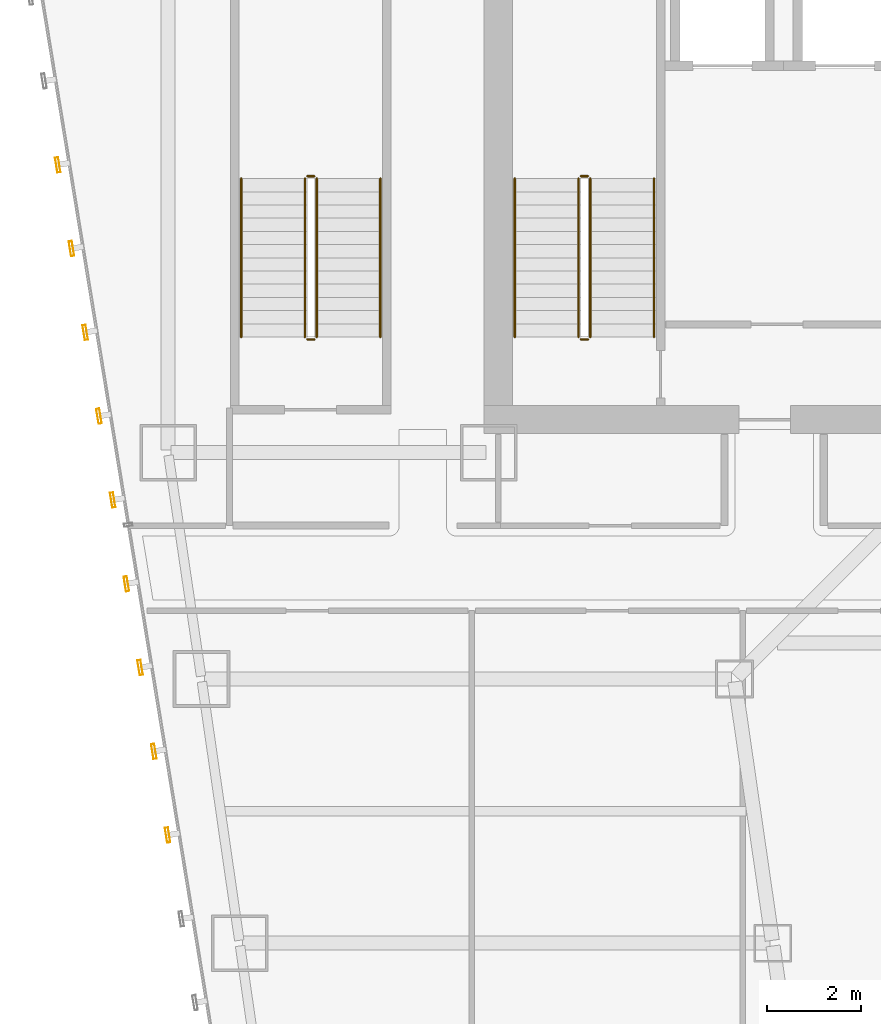
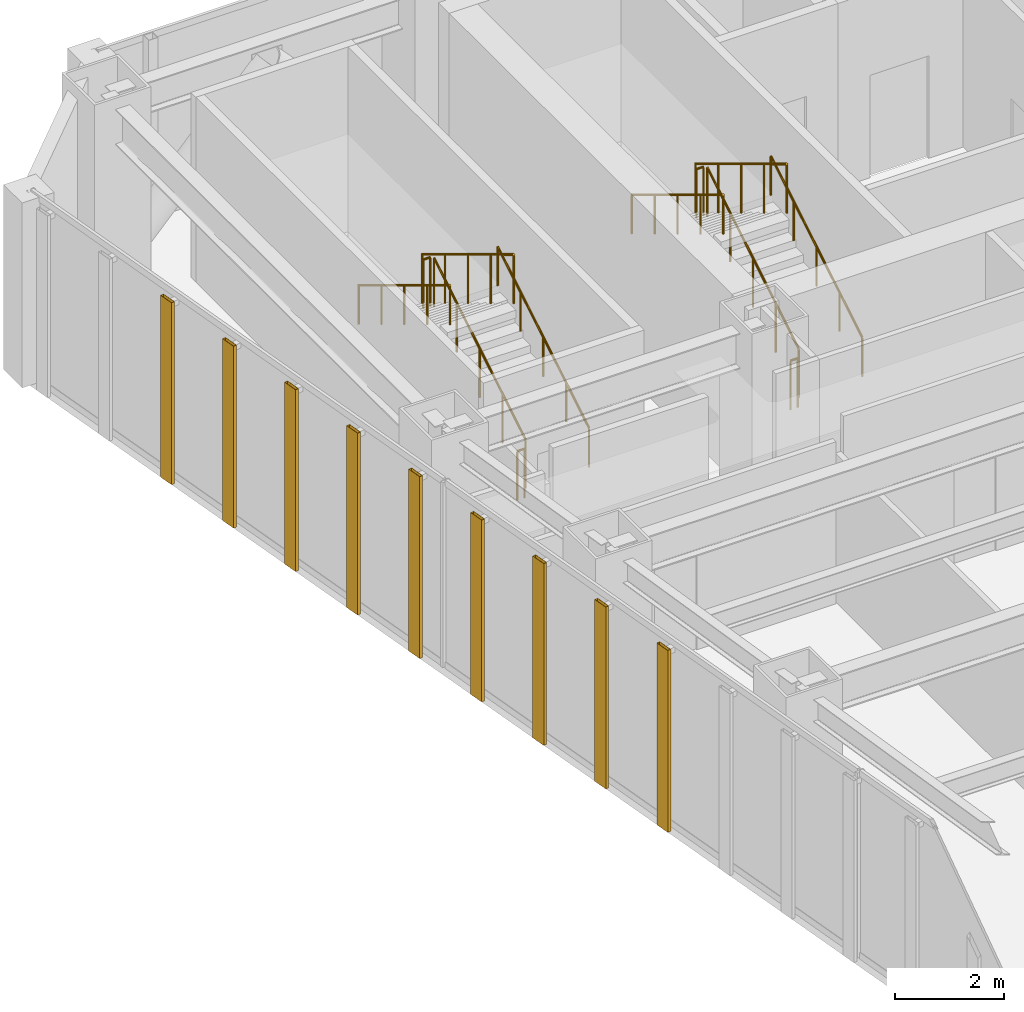
# One storey, part 46 of 49: 12 railings, 9 shading devices.
"""IFC4 building model written with IfcOpenShell, lengths in metres."""

from ifc_helpers import new_model, si_unit, direction, frame, origin, origin_2d, place, context, subcontext, project, spatial, hollow_rectangle, circle, extrude, material, material_profile, profile_set, type_object, element, save


model = new_model("IFC4")

# Units and contexts
model_context = context("Model", 3, precision=1e-05, world=origin(), true_north=direction((0.0, 1.0)))
body_context = subcontext(model_context, "Body", "Model", "MODEL_VIEW")
ifc_project = project(units=[si_unit("LENGTHUNIT", "METRE"), si_unit("AREAUNIT", "SQUARE_METRE"), si_unit("VOLUMEUNIT", "CUBIC_METRE"), si_unit("PLANEANGLEUNIT", "RADIAN"), si_unit("MASSUNIT", "GRAM", prefix="KILO")], contexts=[model_context])

# Site, building, storey
site_placement = place(None, origin())
site = spatial("IfcSite", under=ifc_project, at=site_placement, CompositionType="ELEMENT")
building_placement = place(site_placement, origin())
building = spatial("IfcBuilding", under=site, at=building_placement, Name="Saevonmaru Cultural Tower", CompositionType="ELEMENT")
storey_placement = place(building_placement, frame((0.0, 0.0, 73.60009765625)))
storey = spatial("IfcBuildingStorey", under=building, at=storey_placement, Name="L15", CompositionType="ELEMENT", Elevation=73.60009765625)

# Railings
ifc_material_1 = material(Name="Architectural Painted Steel", Category="steel")
railing_type_1 = type_object("IfcRailingType", Name="RL-STAIR-GUARD", PredefinedType="GUARDRAIL", material=ifc_material_1)
railing_1_placement = place(storey_placement, frame((15.75, 44.85009765625, 0.169189453125)))
element("IfcRailing", 1, at=railing_1_placement, inside=storey, type_object=railing_type_1, Name="L15 ST-1 stair guard 1", PredefinedType="GUARDRAIL", context=body_context, shape_type="SweptSolid", body=[
    extrude(circle(Radius=0.02392578125, at=origin_2d()), frame((0.0, 0.0, 1.09619140625), z_axis=(0.0, 0.855820338506, 0.51727318527), x_axis=(-1.0, 0.0, 0.0)), (0.0, 0.0, 1.0), 3.92578125),
    extrude(circle(Radius=0.02099609375, at=origin_2d()), origin(), (0.0, 0.0, 1.0), 1.072021484375),
    extrude(circle(Radius=0.02099609375, at=origin_2d()), frame((0.0, 0.83984375, 0.5078125)), (0.0, 0.0, 1.0), 1.072021484375),
    extrude(circle(Radius=0.02099609375, at=origin_2d()), frame((0.0, 1.679931640625, 1.015380859375)), (0.0, 0.0, 1.0), 1.072021484375),
    extrude(circle(Radius=0.02099609375, at=origin_2d()), frame((0.0, 2.52001953125, 1.52294921875)), (0.0, 0.0, 1.0), 1.072021484375),
    extrude(circle(Radius=0.02099609375, at=origin_2d()), frame((0.0, 3.35986328125, 2.03076171875)), (0.0, 0.0, 1.0), 1.072021484375),
])
railing_2_placement = place(storey_placement, frame((15.699951171875, 48.260009765625, 2.199951171875)))
element("IfcRailing", 2, at=railing_2_placement, inside=storey, type_object=railing_type_1, Name="L15 ST-1 stair guard 2", PredefinedType="GUARDRAIL", context=body_context, shape_type="SweptSolid", body=[
    extrude(circle(Radius=0.02392578125, at=origin_2d()), frame((0.0, 0.0, 1.09619140625), z_axis=(-1.0, 0.0, 0.0), x_axis=(0.0, -1.0, 0.0)), (0.0, 0.0, 1.0), 0.14990234375),
    extrude(circle(Radius=0.02099609375, at=origin_2d()), origin(), (0.0, 0.0, 1.0), 1.072021484375),
    extrude(circle(Radius=0.02099609375, at=origin_2d()), frame((-0.14990234375, 0.0, 0.0)), (0.0, 0.0, 1.0), 1.072021484375),
])
railing_3_placement = place(storey_placement, frame((15.5, 48.2099609375, 2.369140625)))
element("IfcRailing", 3, at=railing_3_placement, inside=storey, type_object=railing_type_1, Name="L15 ST-1 stair guard 3", PredefinedType="GUARDRAIL", context=body_context, shape_type="SweptSolid", body=[
    extrude(circle(Radius=0.02392578125, at=origin_2d()), frame((0.0, 0.0, 1.09619140625), z_axis=(0.0, -0.855820338506, 0.51727318527), x_axis=(1.0, 0.0, 0.0)), (0.0, 0.0, 1.0), 3.92578125),
    extrude(circle(Radius=0.02099609375, at=origin_2d()), origin(), (0.0, 0.0, 1.0), 1.072021484375),
    extrude(circle(Radius=0.02099609375, at=origin_2d()), frame((0.0, -0.83984375, 0.5078125)), (0.0, 0.0, 1.0), 1.072021484375),
    extrude(circle(Radius=0.02099609375, at=origin_2d()), frame((0.0, -1.679931640625, 1.015380859375)), (0.0, 0.0, 1.0), 1.072021484375),
    extrude(circle(Radius=0.02099609375, at=origin_2d()), frame((0.0, -2.52001953125, 1.52294921875)), (0.0, 0.0, 1.0), 1.072021484375),
    extrude(circle(Radius=0.02099609375, at=origin_2d()), frame((0.0, -3.35986328125, 2.03076171875)), (0.0, 0.0, 1.0), 1.072021484375),
])
railing_4_placement = place(storey_placement, frame((15.699951171875, 44.800048828125, 0.0)))
element("IfcRailing", 4, at=railing_4_placement, inside=storey, type_object=railing_type_1, Name="L15 ST-1 stair guard 4", PredefinedType="GUARDRAIL", context=body_context, shape_type="SweptSolid", body=[
    extrude(circle(Radius=0.02392578125, at=origin_2d()), frame((0.0, 0.0, 1.09619140625), z_axis=(-1.0, 0.0, 0.0), x_axis=(0.0, -1.0, 0.0)), (0.0, 0.0, 1.0), 0.14990234375),
    extrude(circle(Radius=0.02099609375, at=origin_2d()), origin(), (0.0, 0.0, 1.0), 1.072021484375),
    extrude(circle(Radius=0.02099609375, at=origin_2d()), frame((-0.14990234375, 0.0, 0.0)), (0.0, 0.0, 1.0), 1.072021484375),
])
railing_5_placement = place(storey_placement, frame((9.949951171875, 44.85009765625, 0.169189453125)))
element("IfcRailing", 5, at=railing_5_placement, inside=storey, type_object=railing_type_1, Name="L15 ST-3 stair guard 1", PredefinedType="GUARDRAIL", context=body_context, shape_type="SweptSolid", body=[
    extrude(circle(Radius=0.02392578125, at=origin_2d()), frame((0.0, 0.0, 1.09619140625), z_axis=(0.0, 0.855820338506, 0.51727318527), x_axis=(-1.0, 0.0, 0.0)), (0.0, 0.0, 1.0), 3.92578125),
    extrude(circle(Radius=0.02099609375, at=origin_2d()), origin(), (0.0, 0.0, 1.0), 1.072021484375),
    extrude(circle(Radius=0.02099609375, at=origin_2d()), frame((0.0, 0.83984375, 0.5078125)), (0.0, 0.0, 1.0), 1.072021484375),
    extrude(circle(Radius=0.02099609375, at=origin_2d()), frame((0.0, 1.679931640625, 1.015380859375)), (0.0, 0.0, 1.0), 1.072021484375),
    extrude(circle(Radius=0.02099609375, at=origin_2d()), frame((0.0, 2.52001953125, 1.52294921875)), (0.0, 0.0, 1.0), 1.072021484375),
    extrude(circle(Radius=0.02099609375, at=origin_2d()), frame((0.0, 3.35986328125, 2.03076171875)), (0.0, 0.0, 1.0), 1.072021484375),
])
railing_6_placement = place(storey_placement, frame((9.89990234375, 48.260009765625, 2.199951171875)))
element("IfcRailing", 6, at=railing_6_placement, inside=storey, type_object=railing_type_1, Name="L15 ST-3 stair guard 2", PredefinedType="GUARDRAIL", context=body_context, shape_type="SweptSolid", body=[
    extrude(circle(Radius=0.02392578125, at=origin_2d()), frame((0.0, 0.0, 1.09619140625), z_axis=(-1.0, 0.0, 0.0), x_axis=(0.0, -1.0, 0.0)), (0.0, 0.0, 1.0), 0.14990234375),
    extrude(circle(Radius=0.02099609375, at=origin_2d()), origin(), (0.0, 0.0, 1.0), 1.072021484375),
    extrude(circle(Radius=0.02099609375, at=origin_2d()), frame((-0.14990234375, 0.0, 0.0)), (0.0, 0.0, 1.0), 1.072021484375),
])
railing_7_placement = place(storey_placement, frame((9.699951171875, 48.2099609375, 2.369140625)))
element("IfcRailing", 7, at=railing_7_placement, inside=storey, type_object=railing_type_1, Name="L15 ST-3 stair guard 3", PredefinedType="GUARDRAIL", context=body_context, shape_type="SweptSolid", body=[
    extrude(circle(Radius=0.02392578125, at=origin_2d()), frame((0.0, 0.0, 1.09619140625), z_axis=(0.0, -0.855820338506, 0.51727318527), x_axis=(1.0, 0.0, 0.0)), (0.0, 0.0, 1.0), 3.92578125),
    extrude(circle(Radius=0.02099609375, at=origin_2d()), origin(), (0.0, 0.0, 1.0), 1.072021484375),
    extrude(circle(Radius=0.02099609375, at=origin_2d()), frame((0.0, -0.83984375, 0.5078125)), (0.0, 0.0, 1.0), 1.072021484375),
    extrude(circle(Radius=0.02099609375, at=origin_2d()), frame((0.0, -1.679931640625, 1.015380859375)), (0.0, 0.0, 1.0), 1.072021484375),
    extrude(circle(Radius=0.02099609375, at=origin_2d()), frame((0.0, -2.52001953125, 1.52294921875)), (0.0, 0.0, 1.0), 1.072021484375),
    extrude(circle(Radius=0.02099609375, at=origin_2d()), frame((0.0, -3.35986328125, 2.03076171875)), (0.0, 0.0, 1.0), 1.072021484375),
])
railing_8_placement = place(storey_placement, frame((9.89990234375, 44.800048828125, 0.0)))
element("IfcRailing", 8, at=railing_8_placement, inside=storey, type_object=railing_type_1, Name="L15 ST-3 stair guard 4", PredefinedType="GUARDRAIL", context=body_context, shape_type="SweptSolid", body=[
    extrude(circle(Radius=0.02392578125, at=origin_2d()), frame((0.0, 0.0, 1.09619140625), z_axis=(-1.0, 0.0, 0.0), x_axis=(0.0, -1.0, 0.0)), (0.0, 0.0, 1.0), 0.14990234375),
    extrude(circle(Radius=0.02099609375, at=origin_2d()), origin(), (0.0, 0.0, 1.0), 1.072021484375),
    extrude(circle(Radius=0.02099609375, at=origin_2d()), frame((-0.14990234375, 0.0, 0.0)), (0.0, 0.0, 1.0), 1.072021484375),
])
ifc_material_2 = material(Name="Satin Bronze Anodised Aluminium", Category="aluminium")
railing_type_2 = type_object("IfcRailingType", Name="RL-STAIR-HANDRAIL", PredefinedType="HANDRAIL", material=ifc_material_2)
railing_9_placement = place(storey_placement, frame((17.10009765625, 44.85009765625, 0.169189453125)))
element("IfcRailing", 9, at=railing_9_placement, inside=storey, type_object=railing_type_2, Name="L15 ST-1 stair handrail 1", PredefinedType="HANDRAIL", context=body_context, shape_type="SweptSolid", body=[
    extrude(circle(Radius=0.02392578125, at=origin_2d()), frame((0.0, 0.0, 0.8759765625), z_axis=(0.0, 0.855820338506, 0.51727318527), x_axis=(-1.0, 0.0, 0.0)), (0.0, 0.0, 1.0), 3.92578125),
    extrude(circle(Radius=0.02099609375, at=origin_2d()), origin(), (0.0, 0.0, 1.0), 0.851806640625),
    extrude(circle(Radius=0.02099609375, at=origin_2d()), frame((0.0, 0.83984375, 0.5078125)), (0.0, 0.0, 1.0), 0.851806640625),
    extrude(circle(Radius=0.02099609375, at=origin_2d()), frame((0.0, 1.679931640625, 1.015380859375)), (0.0, 0.0, 1.0), 0.851806640625),
    extrude(circle(Radius=0.02099609375, at=origin_2d()), frame((0.0, 2.52001953125, 1.52294921875)), (0.0, 0.0, 1.0), 0.851806640625),
    extrude(circle(Radius=0.02099609375, at=origin_2d()), frame((0.0, 3.35986328125, 2.03076171875)), (0.0, 0.0, 1.0), 0.851806640625),
])
railing_10_placement = place(storey_placement, frame((14.14990234375, 48.2099609375, 2.369140625)))
element("IfcRailing", 10, at=railing_10_placement, inside=storey, type_object=railing_type_2, Name="L15 ST-1 stair handrail 2", PredefinedType="HANDRAIL", context=body_context, shape_type="SweptSolid", body=[
    extrude(circle(Radius=0.02392578125, at=origin_2d()), frame((0.0, 0.0, 0.8759765625), z_axis=(0.0, -0.855820338506, 0.51727318527), x_axis=(1.0, 0.0, 0.0)), (0.0, 0.0, 1.0), 3.92578125),
    extrude(circle(Radius=0.02099609375, at=origin_2d()), origin(), (0.0, 0.0, 1.0), 0.851806640625),
    extrude(circle(Radius=0.02099609375, at=origin_2d()), frame((0.0, -0.83984375, 0.5078125)), (0.0, 0.0, 1.0), 0.851806640625),
    extrude(circle(Radius=0.02099609375, at=origin_2d()), frame((0.0, -1.679931640625, 1.015380859375)), (0.0, 0.0, 1.0), 0.851806640625),
    extrude(circle(Radius=0.02099609375, at=origin_2d()), frame((0.0, -2.52001953125, 1.52294921875)), (0.0, 0.0, 1.0), 0.851806640625),
    extrude(circle(Radius=0.02099609375, at=origin_2d()), frame((0.0, -3.35986328125, 2.03076171875)), (0.0, 0.0, 1.0), 0.851806640625),
])
railing_11_placement = place(storey_placement, frame((11.300048828125, 44.85009765625, 0.169189453125)))
element("IfcRailing", 11, at=railing_11_placement, inside=storey, type_object=railing_type_2, Name="L15 ST-3 stair handrail 1", PredefinedType="HANDRAIL", context=body_context, shape_type="SweptSolid", body=[
    extrude(circle(Radius=0.02392578125, at=origin_2d()), frame((0.0, 0.0, 0.8759765625), z_axis=(0.0, 0.855820338506, 0.51727318527), x_axis=(-1.0, 0.0, 0.0)), (0.0, 0.0, 1.0), 3.92578125),
    extrude(circle(Radius=0.02099609375, at=origin_2d()), origin(), (0.0, 0.0, 1.0), 0.851806640625),
    extrude(circle(Radius=0.02099609375, at=origin_2d()), frame((0.0, 0.83984375, 0.5078125)), (0.0, 0.0, 1.0), 0.851806640625),
    extrude(circle(Radius=0.02099609375, at=origin_2d()), frame((0.0, 1.679931640625, 1.015380859375)), (0.0, 0.0, 1.0), 0.851806640625),
    extrude(circle(Radius=0.02099609375, at=origin_2d()), frame((0.0, 2.52001953125, 1.52294921875)), (0.0, 0.0, 1.0), 0.851806640625),
    extrude(circle(Radius=0.02099609375, at=origin_2d()), frame((0.0, 3.35986328125, 2.03076171875)), (0.0, 0.0, 1.0), 0.851806640625),
])
railing_12_placement = place(storey_placement, frame((8.35009765625, 48.2099609375, 2.369140625)))
element("IfcRailing", 12, at=railing_12_placement, inside=storey, type_object=railing_type_2, Name="L15 ST-3 stair handrail 2", PredefinedType="HANDRAIL", context=body_context, shape_type="SweptSolid", body=[
    extrude(circle(Radius=0.02392578125, at=origin_2d()), frame((0.0, 0.0, 0.8759765625), z_axis=(0.0, -0.855820338506, 0.51727318527), x_axis=(1.0, 0.0, 0.0)), (0.0, 0.0, 1.0), 3.92578125),
    extrude(circle(Radius=0.02099609375, at=origin_2d()), origin(), (0.0, 0.0, 1.0), 0.851806640625),
    extrude(circle(Radius=0.02099609375, at=origin_2d()), frame((0.0, -0.83984375, 0.5078125)), (0.0, 0.0, 1.0), 0.851806640625),
    extrude(circle(Radius=0.02099609375, at=origin_2d()), frame((0.0, -1.679931640625, 1.015380859375)), (0.0, 0.0, 1.0), 0.851806640625),
    extrude(circle(Radius=0.02099609375, at=origin_2d()), frame((0.0, -2.52001953125, 1.52294921875)), (0.0, 0.0, 1.0), 0.851806640625),
    extrude(circle(Radius=0.02099609375, at=origin_2d()), frame((0.0, -3.35986328125, 2.03076171875)), (0.0, 0.0, 1.0), 0.851806640625),
])

# Shading devices
ifc_material_profile = material_profile(ifc_material_2, hollow_rectangle(XDim=0.070068359375, YDim=0.320068359375, WallThickness=0.0048828125, at=origin_2d()), Name="FIN-320x70")
ifc_profile_set = profile_set([ifc_material_profile], Name="Satin Bronze Anodised Aluminium")
shading_device_type = type_object("IfcShadingDeviceType", Name="SHD-FIN-320", PredefinedType="JALOUSIE", material=ifc_profile_set)
for number, where, z_axis, x_axis, name in (
    (13, (4.461181640625, 48.50048828125, 0.0498046875), (0.0, 0.0, 1.0), (-0.986827496189, -0.161776057456, 0.0), "L15 Art Deco Sawtooth Bronze Fin E12-03"),
    (14, (4.75244140625, 46.724365234375, 0.0498046875), (0.0, 0.0, 1.0), (-0.986827496189, -0.161776057456, 0.0), "L15 Art Deco Sawtooth Bronze Fin E12-04"),
    (15, (5.04345703125, 44.947998046875, 0.0498046875), (0.0, 0.0, 1.0), (-0.986827496189, -0.161776057456, 0.0), "L15 Art Deco Sawtooth Bronze Fin E12-05"),
    (16, (5.334716796875, 43.171630859375, 0.0498046875), (0.0, 0.0, 1.0), (-0.986827496189, -0.161776057456, 0.0), "L15 Art Deco Sawtooth Bronze Fin E12-06"),
    (17, (5.62548828125, 41.3955078125, 0.0498046875), (0.0, 0.0, 1.0), (-0.986827496189, -0.161776057456, 0.0), "L15 Art Deco Sawtooth Bronze Fin E12-07"),
    (18, (5.916748046875, 39.618896484375, 0.0498046875), (0.0, 0.0, 1.0), (-0.986827496189, -0.161776057456, 0.0), "L15 Art Deco Sawtooth Bronze Fin E12-08"),
    (19, (6.207763671875, 37.8427734375, 0.0498046875), (0.0, 0.0, 1.0), (-0.986827496189, -0.161776057456, 0.0), "L15 Art Deco Sawtooth Bronze Fin E12-09"),
    (20, (6.498779296875, 36.06640625, 0.0498046875), (0.0, 0.0, 1.0), (-0.986827496189, -0.161776057456, 0.0), "L15 Art Deco Sawtooth Bronze Fin E12-10"),
    (21, (6.789794921875, 34.2900390625, 0.0498046875), (0.0, 0.0, 1.0), (-0.986827496189, -0.161776057456, 0.0), "L15 Art Deco Sawtooth Bronze Fin E12-11"),
):
    element("IfcShadingDevice", number, at=place(storey_placement, frame(where, z_axis=z_axis, x_axis=x_axis)), inside=storey, type_object=shading_device_type, Name=name, PredefinedType="JALOUSIE", context=body_context, shape_type="SweptSolid", body=[
        extrude(hollow_rectangle(XDim=0.070068359375, YDim=0.320068359375, WallThickness=0.0048828125, at=origin_2d()), origin(), (0.0, 0.0, 1.0), 4.080078125),
    ])

save(model, "model.ifc")
